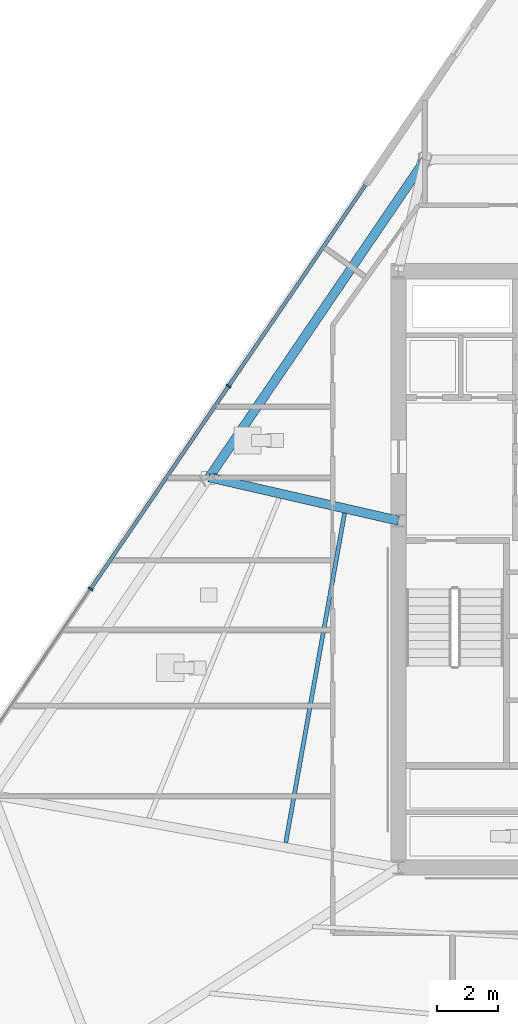
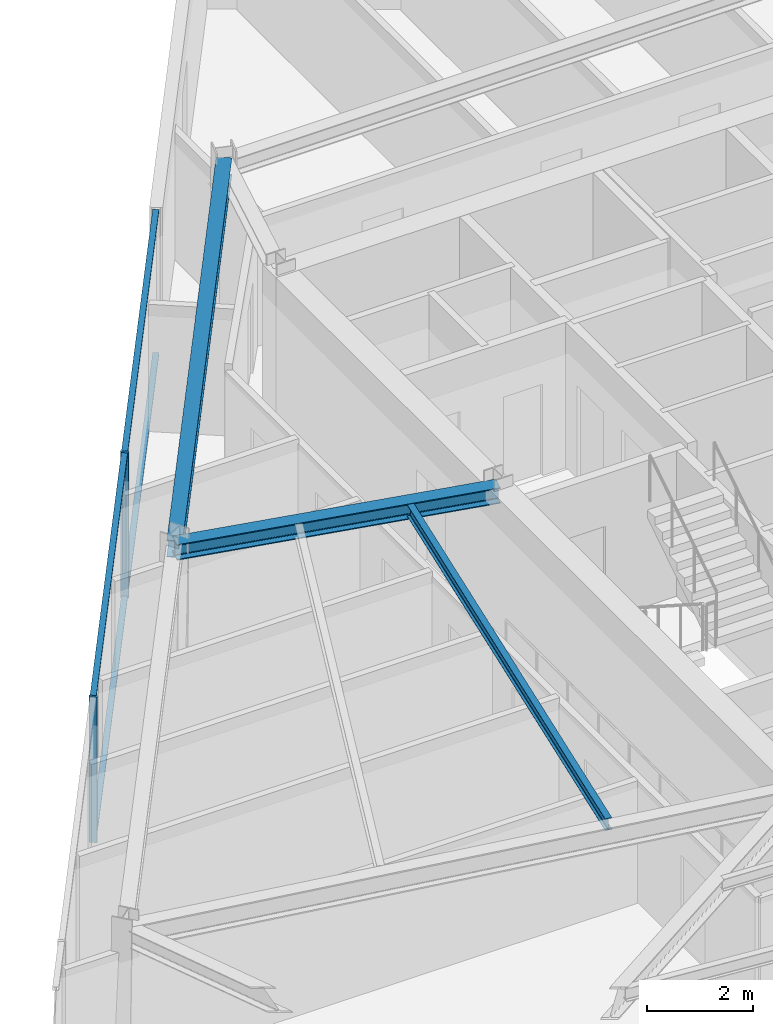
# One storey, part 4 of 16: 6 members, 3 beams, 1 element without a shape of its own.
"""IFC4 building model written with IfcOpenShell, lengths in metres."""

from ifc_helpers import new_model, si_unit, direction, frame, origin, origin_2d, place, context, subcontext, project, spatial, rectangle, i_section, extrude, material, material_profile, profile_set, type_object, element, aggregate, save


model = new_model("IFC4")

# Units and contexts
model_context = context("Model", 3, precision=1e-05, world=origin(), true_north=direction((0.0, 1.0)))
body_context = subcontext(model_context, "Body", "Model", "MODEL_VIEW")
ifc_project = project(units=[si_unit("LENGTHUNIT", "METRE"), si_unit("AREAUNIT", "SQUARE_METRE"), si_unit("VOLUMEUNIT", "CUBIC_METRE"), si_unit("PLANEANGLEUNIT", "RADIAN"), si_unit("MASSUNIT", "GRAM", prefix="KILO")], contexts=[model_context])

# Site, building, storey
site_placement = place(None, origin())
site = spatial("IfcSite", under=ifc_project, at=site_placement, CompositionType="ELEMENT")
building_placement = place(site_placement, origin())
building = spatial("IfcBuilding", under=site, at=building_placement, Name="Savorim Split Tower", CompositionType="ELEMENT")
storey_placement = place(building_placement, frame((0.0, 0.0, 160.199951171875)))
storey = spatial("IfcBuildingStorey", under=building, at=storey_placement, Name="L42", CompositionType="ELEMENT", Elevation=160.199951171875)

# Beams
ifc_material_1 = material(Name="Steel S355", Category="steel")
ifc_material_profile_1 = material_profile(ifc_material_1, i_section(OverallWidth=0.135009765625, OverallDepth=0.27001953125, WebThickness=0.006591796875, FlangeThickness=0.01025390625, FilletRadius=0.014892578125, at=origin_2d()), Name="IPE 270")
ifc_profile_set_1 = profile_set([ifc_material_profile_1], Name="Steel S355")
beam_type_1 = type_object("IfcBeamType", Name="BM-JST-IPE270", PredefinedType="JOIST", material=ifc_profile_set_1)
beam_1_placement = place(storey_placement, frame((-9.469970703125, 2.241455078125, 3.215087890625), z_axis=(-0.175853701733, -0.98441631213, 0.0), x_axis=(0.98441631213, -0.175853701733, 0.0)))
element("IfcBeam", 1, at=beam_1_placement, inside=storey, type_object=beam_type_1, Name="L42 Secondary Floor Joist JS-11", PredefinedType="JOIST", context=body_context, shape_type="SweptSolid", body=[
    extrude(i_section(OverallWidth=0.135009765625, OverallDepth=0.27001953125, WebThickness=0.006591796875, FlangeThickness=0.01025390625, FilletRadius=0.014892578125, at=origin_2d()), origin(), (0.0, 0.0, 1.0), 10.987060546875),
])
ifc_material_profile_2 = material_profile(ifc_material_1, i_section(OverallWidth=0.300048828125, OverallDepth=0.360107421875, WebThickness=0.012451171875, FlangeThickness=0.0224609375, FilletRadius=0.027099609375, at=origin_2d()), Name="HEB 360")
ifc_profile_set_2 = profile_set([ifc_material_profile_2], Name="Steel S355")
beam_type_2 = type_object("IfcBeamType", Name="BM-PRI-HEB360", PredefinedType="BEAM", material=ifc_profile_set_2)
beam_2_placement = place(storey_placement, frame((-13.9208984375, 3.424560546875, 3.170166015625), z_axis=(0.974768919554, -0.223216382622, 0.0), x_axis=(0.223216382622, 0.974768919554, 0.0)))
element("IfcBeam", 2, at=beam_2_placement, inside=storey, type_object=beam_type_2, Name="L42 Primary Floor Girder RG-09", PredefinedType="BEAM", context=body_context, shape_type="SweptSolid", body=[
    extrude(i_section(OverallWidth=0.300048828125, OverallDepth=0.360107421875, WebThickness=0.012451171875, FlangeThickness=0.0224609375, FilletRadius=0.027099609375, at=origin_2d()), origin(), (0.0, 0.0, 1.0), 6.382080078125),
])
ifc_material_profile_3 = material_profile(ifc_material_1, i_section(OverallWidth=0.300048828125, OverallDepth=0.389892578125, WebThickness=0.010986328125, FlangeThickness=0.01904296875, FilletRadius=0.027099609375, at=origin_2d()), Name="HEA 400")
ifc_profile_set_3 = profile_set([ifc_material_profile_3], Name="Steel S355")
beam_type_3 = type_object("IfcBeamType", Name="BM-SPN-HEA400", PredefinedType="SPANDREL", material=ifc_profile_set_3)
beam_3_placement = place(storey_placement, frame((-6.81982421875, 13.86279296875, 3.155029296875), z_axis=(-0.562476629118, -0.826813184278, 0.0), x_axis=(0.826813184278, -0.562476629118, 0.0)))
element("IfcBeam", 3, at=beam_3_placement, inside=storey, type_object=beam_type_3, Name="L42 Perimeter Spandrel Beam 8", PredefinedType="SPANDREL", context=body_context, shape_type="SweptSolid", body=[
    extrude(i_section(OverallWidth=0.300048828125, OverallDepth=0.389892578125, WebThickness=0.010986328125, FlangeThickness=0.01904296875, FilletRadius=0.027099609375, at=origin_2d()), origin(), (0.0, 0.0, 1.0), 12.624755859375),
])

# Curtain wall, members
ifc_material_2 = material(Name="Dark Ceramic-Fritted Insulated Glass", Category="glass")
curtain_wall_type = type_object("IfcCurtainWallType", Name="CW-TWR-FRIT-B", PredefinedType="NOTDEFINED", material=ifc_material_2)
curtain_wall_placement = place(storey_placement, origin())
curtain_wall = element("IfcCurtainWall", 4, at=curtain_wall_placement, inside=storey, type_object=curtain_wall_type, Name="L42 Curtain Wall CW-L42-WEST", PredefinedType="NOTDEFINED")
ifc_material_3 = material(Name="Charcoal Anodised Aluminium", Category="aluminium")
ifc_material_profile_4 = material_profile(ifc_material_3, rectangle(XDim=0.159912109375, YDim=0.06005859375, at=origin_2d()), Name="ALU-M 160x60")
ifc_profile_set_4 = profile_set([ifc_material_profile_4], Name="Charcoal Anodised Aluminium")
member_type_1 = type_object("IfcMemberType", Name="CWM-160x60", PredefinedType="MULLION", material=ifc_profile_set_4)
member_1_placement = place(storey_placement, frame((-13.281494140625, 6.42041015625, 0.0), z_axis=(0.0, 0.0, 1.0), x_axis=(0.826820104662, -0.562466456356, 0.0)))
member_1 = element("IfcMember", 5, at=member_1_placement, type_object=member_type_1, Name="CW-03 mullion 2", PredefinedType="MULLION", context=body_context, shape_type="SweptSolid", body=[
    extrude(rectangle(XDim=0.159912109375, YDim=0.06005859375, at=origin_2d()), origin(), (0.0, 0.0, 1.0), 3.35009765625),
])
member_2_placement = place(storey_placement, frame((-17.8125, -0.240234375, 0.0), z_axis=(0.0, 0.0, 1.0), x_axis=(0.826820104662, -0.562466456356, 0.0)))
member_2 = element("IfcMember", 6, at=member_2_placement, type_object=member_type_1, Name="CW-03 mullion 3", PredefinedType="MULLION", context=body_context, shape_type="SweptSolid", body=[
    extrude(rectangle(XDim=0.159912109375, YDim=0.06005859375, at=origin_2d()), origin(), (0.0, 0.0, 1.0), 3.35009765625),
])
ifc_material_profile_5 = material_profile(ifc_material_3, rectangle(XDim=0.1201171875, YDim=0.050048828125, at=origin_2d()), Name="ALU-T 120x50")
ifc_profile_set_5 = profile_set([ifc_material_profile_5], Name="Charcoal Anodised Aluminium")
member_type_2 = type_object("IfcMemberType", Name="CWT-120x50", PredefinedType="USERDEFINED", material=ifc_profile_set_5)
member_3_placement = place(storey_placement, frame((-8.7841796875, 13.03125, 0.025146484375), z_axis=(-0.562470130004, -0.826817605554, 0.0), x_axis=(0.826817605554, -0.562470130004, 0.0)))
member_3 = element("IfcMember", 7, at=member_3_placement, type_object=member_type_2, Name="CW-03 transom 1.1", ObjectType="TRANSOM", PredefinedType="USERDEFINED", context=body_context, shape_type="SweptSolid", body=[
    extrude(rectangle(XDim=0.1201171875, YDim=0.050048828125, at=origin_2d()), origin(), (0.0, 0.0, 1.0), 7.9658203125),
])
member_4_placement = place(storey_placement, frame((-8.7841796875, 13.03125, 3.324951171875), z_axis=(-0.562470130004, -0.826817605554, 0.0), x_axis=(0.826817605554, -0.562470130004, 0.0)))
member_4 = element("IfcMember", 8, at=member_4_placement, type_object=member_type_2, Name="CW-03 transom 1.2", ObjectType="TRANSOM", PredefinedType="USERDEFINED", context=body_context, shape_type="SweptSolid", body=[
    extrude(rectangle(XDim=0.1201171875, YDim=0.050048828125, at=origin_2d()), origin(), (0.0, 0.0, 1.0), 7.9658203125),
])
member_5_placement = place(storey_placement, frame((-13.29833984375, 6.3955078125, 0.025146484375), z_axis=(-0.562476212663, -0.82681346759, 0.0), x_axis=(0.82681346759, -0.562476212663, 0.0)))
member_5 = element("IfcMember", 9, at=member_5_placement, type_object=member_type_2, Name="CW-03 transom 2.1", ObjectType="TRANSOM", PredefinedType="USERDEFINED", context=body_context, shape_type="SweptSolid", body=[
    extrude(rectangle(XDim=0.1201171875, YDim=0.050048828125, at=origin_2d()), origin(), (0.0, 0.0, 1.0), 7.99560546875),
])
member_6_placement = place(storey_placement, frame((-13.29833984375, 6.3955078125, 3.324951171875), z_axis=(-0.562476212663, -0.82681346759, 0.0), x_axis=(0.82681346759, -0.562476212663, 0.0)))
member_6 = element("IfcMember", 10, at=member_6_placement, type_object=member_type_2, Name="CW-03 transom 2.2", ObjectType="TRANSOM", PredefinedType="USERDEFINED", context=body_context, shape_type="SweptSolid", body=[
    extrude(rectangle(XDim=0.1201171875, YDim=0.050048828125, at=origin_2d()), origin(), (0.0, 0.0, 1.0), 7.99560546875),
])
aggregate(curtain_wall, [member_1, member_2, member_3, member_4, member_5, member_6])

save(model, "model.ifc")
